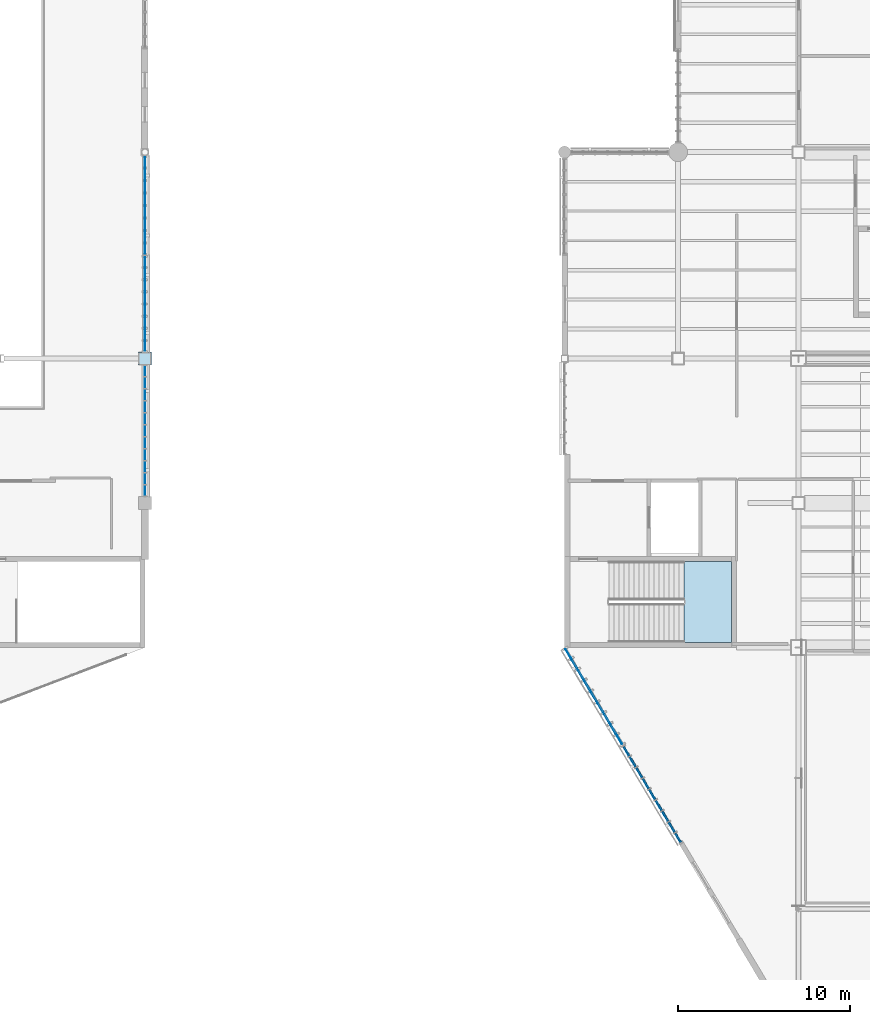
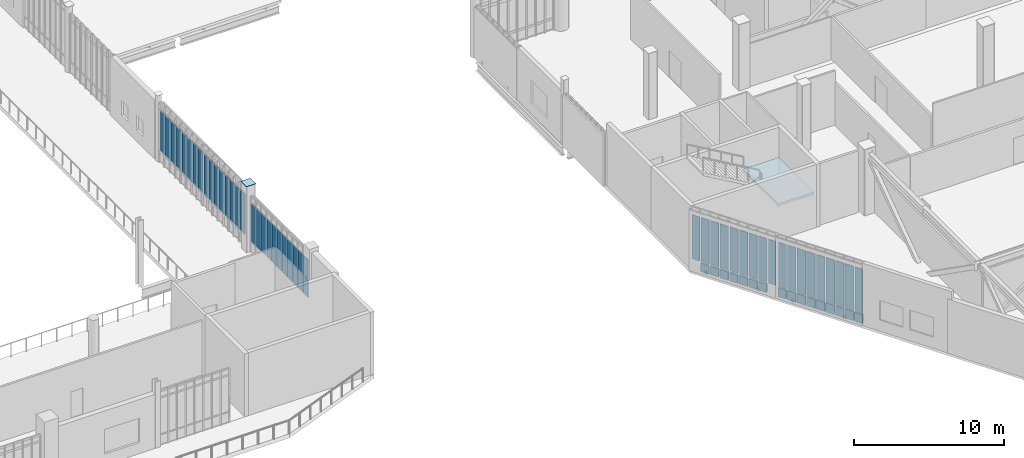
# One storey, part 76 of 135: 62 plates, 1 slab, 6 elements without a shape of their own.
"""IFC4 building model written with IfcOpenShell, lengths in metres."""

from ifc_helpers import new_model, si_unit, direction, frame, origin, origin_2d, place, context, subcontext, project, spatial, polyline, rectangle, outline, extrude, material, layer, layer_set, type_object, element, aggregate, save


model = new_model("IFC4")

# Units and contexts
model_context = context("Model", 3, precision=1e-05, world=origin(), true_north=direction((0.0, 1.0)))
body_context = subcontext(model_context, "Body", "Model", "MODEL_VIEW")
ifc_project = project(units=[si_unit("LENGTHUNIT", "METRE"), si_unit("AREAUNIT", "SQUARE_METRE"), si_unit("VOLUMEUNIT", "CUBIC_METRE"), si_unit("PLANEANGLEUNIT", "RADIAN"), si_unit("MASSUNIT", "GRAM", prefix="KILO")], contexts=[model_context])

# Site, building, storey
site_placement = place(None, origin())
site = spatial("IfcSite", under=ifc_project, at=site_placement, CompositionType="ELEMENT")
building_placement = place(site_placement, origin())
building = spatial("IfcBuilding", under=site, at=building_placement, Name="Larkvane Passage Sports Hall", CompositionType="ELEMENT")
storey_placement = place(building_placement, frame((0.0, 0.0, 16.800048828125)))
storey = spatial("IfcBuildingStorey", under=building, at=storey_placement, Name="L03", CompositionType="ELEMENT", Elevation=16.800048828125)

# Curtain wall, plates
ifc_material_1 = material(Name="Thermally broken aluminium and low-E glazing", Category="aluminium")
curtain_wall_type_1 = type_object("IfcCurtainWallType", Name="CW-STICK-FOYER", PredefinedType="USERDEFINED", material=ifc_material_1)
curtain_wall_1_placement = place(storey_placement, origin())
curtain_wall_1 = element("IfcCurtainWall", 1, at=curtain_wall_1_placement, inside=storey, type_object=curtain_wall_type_1, Name="Curtain wall CW5-L03-118", ObjectType="STICK CURTAIN WALL", PredefinedType="USERDEFINED")
ifc_material_2 = material(Name="Fire-stopped shadow-box spandrel panel")
ifc_layer_1 = layer(ifc_material_2, 0.10498046875)
ifc_layer_set_1 = layer_set([ifc_layer_1], Name="Fire-stopped shadow-box spandrel panel")
plate_type_1 = type_object("IfcPlateType", Name="CWP-SPD-105", PredefinedType="CURTAIN_PANEL", material=ifc_layer_set_1)
plate_1_placement = place(storey_placement, frame((124.600830078125, 11.73388671875, 0.080078125), z_axis=(0.0, 0.0, 1.0), x_axis=(-0.512278301212, 0.858819504964, 0.0)))
plate_1 = element("IfcPlate", 2, at=plate_1_placement, type_object=plate_type_1, Name="CW-03 panel 1.1", PredefinedType="CURTAIN_PANEL", context=body_context, shape_type="SweptSolid", body=[
    extrude(rectangle(XDim=0.617431640625, YDim=0.10498046875, at=origin_2d()), origin(), (0.0, 0.0, 1.0), 0.72998046875),
])
plate_2_placement = place(storey_placement, frame((124.2333984375, 12.35009765625, 0.080078125), z_axis=(0.0, 0.0, 1.0), x_axis=(-0.512278301212, 0.858819504964, 0.0)))
plate_2 = element("IfcPlate", 3, at=plate_2_placement, type_object=plate_type_1, Name="CW-03 panel 2.1", PredefinedType="CURTAIN_PANEL", context=body_context, shape_type="SweptSolid", body=[
    extrude(rectangle(XDim=0.657470703125, YDim=0.10498046875, at=origin_2d()), origin(), (0.0, 0.0, 1.0), 0.72998046875),
])
plate_3_placement = place(storey_placement, frame((123.85546875, 12.9833984375, 0.080078125), z_axis=(0.0, 0.0, 1.0), x_axis=(-0.512278301212, 0.858819504964, 0.0)))
plate_3 = element("IfcPlate", 4, at=plate_3_placement, type_object=plate_type_1, Name="CW-03 panel 3.1", PredefinedType="CURTAIN_PANEL", context=body_context, shape_type="SweptSolid", body=[
    extrude(rectangle(XDim=0.657470703125, YDim=0.10498046875, at=origin_2d()), origin(), (0.0, 0.0, 1.0), 0.72998046875),
])
plate_4_placement = place(storey_placement, frame((123.477783203125, 13.61669921875, 0.080078125), z_axis=(0.0, 0.0, 1.0), x_axis=(-0.512278301212, 0.858819504964, 0.0)))
plate_4 = element("IfcPlate", 5, at=plate_4_placement, type_object=plate_type_1, Name="CW-03 panel 4.1", PredefinedType="CURTAIN_PANEL", context=body_context, shape_type="SweptSolid", body=[
    extrude(rectangle(XDim=0.657470703125, YDim=0.10498046875, at=origin_2d()), origin(), (0.0, 0.0, 1.0), 0.72998046875),
])
plate_5_placement = place(storey_placement, frame((123.10009765625, 14.25, 0.080078125), z_axis=(0.0, 0.0, 1.0), x_axis=(-0.512278301212, 0.858819504964, 0.0)))
plate_5 = element("IfcPlate", 6, at=plate_5_placement, type_object=plate_type_1, Name="CW-03 panel 5.1", PredefinedType="CURTAIN_PANEL", context=body_context, shape_type="SweptSolid", body=[
    extrude(rectangle(XDim=0.657470703125, YDim=0.10498046875, at=origin_2d()), origin(), (0.0, 0.0, 1.0), 0.72998046875),
])
plate_6_placement = place(storey_placement, frame((122.72216796875, 14.88330078125, 0.080078125), z_axis=(0.0, 0.0, 1.0), x_axis=(-0.512278301212, 0.858819504964, 0.0)))
plate_6 = element("IfcPlate", 7, at=plate_6_placement, type_object=plate_type_1, Name="CW-03 panel 6.1", PredefinedType="CURTAIN_PANEL", context=body_context, shape_type="SweptSolid", body=[
    extrude(rectangle(XDim=0.657470703125, YDim=0.10498046875, at=origin_2d()), origin(), (0.0, 0.0, 1.0), 0.72998046875),
])
plate_7_placement = place(storey_placement, frame((122.344482421875, 15.5166015625, 0.080078125), z_axis=(0.0, 0.0, 1.0), x_axis=(-0.512278301212, 0.858819504964, 0.0)))
plate_7 = element("IfcPlate", 8, at=plate_7_placement, type_object=plate_type_1, Name="CW-03 panel 7.1", PredefinedType="CURTAIN_PANEL", context=body_context, shape_type="SweptSolid", body=[
    extrude(rectangle(XDim=0.657470703125, YDim=0.10498046875, at=origin_2d()), origin(), (0.0, 0.0, 1.0), 0.72998046875),
])
plate_8_placement = place(storey_placement, frame((121.966552734375, 16.14990234375, 0.080078125), z_axis=(0.0, 0.0, 1.0), x_axis=(-0.512278301212, 0.858819504964, 0.0)))
plate_8 = element("IfcPlate", 9, at=plate_8_placement, type_object=plate_type_1, Name="CW-03 panel 8.1", PredefinedType="CURTAIN_PANEL", context=body_context, shape_type="SweptSolid", body=[
    extrude(rectangle(XDim=0.657470703125, YDim=0.10498046875, at=origin_2d()), origin(), (0.0, 0.0, 1.0), 0.72998046875),
])
plate_9_placement = place(storey_placement, frame((121.59912109375, 16.76611328125, 0.080078125), z_axis=(0.0, 0.0, 1.0), x_axis=(-0.512278301212, 0.858819504964, 0.0)))
plate_9 = element("IfcPlate", 10, at=plate_9_placement, type_object=plate_type_1, Name="CW-03 panel 9.1", PredefinedType="CURTAIN_PANEL", context=body_context, shape_type="SweptSolid", body=[
    extrude(rectangle(XDim=0.617431640625, YDim=0.10498046875, at=origin_2d()), origin(), (0.0, 0.0, 1.0), 0.72998046875),
])

curtain_wall_type_2 = type_object("IfcCurtainWallType", Name="CW-CLINIC", PredefinedType="USERDEFINED", material=ifc_material_1)
curtain_wall_2_placement = place(storey_placement, origin())
curtain_wall_2 = element("IfcCurtainWall", 11, at=curtain_wall_2_placement, inside=storey, type_object=curtain_wall_type_2, Name="Curtain wall CW5-L03-119", ObjectType="UNITISED CURTAIN WALL", PredefinedType="USERDEFINED")
ifc_material_3 = material(Name="Deep insulated facade spandrel panel")
ifc_layer_2 = layer(ifc_material_3, 0.125)
ifc_layer_set_2 = layer_set([ifc_layer_2], Name="Deep insulated facade spandrel panel")
plate_type_2 = type_object("IfcPlateType", Name="CWP-SPD-125", PredefinedType="CURTAIN_PANEL", material=ifc_layer_set_2)
plate_10_placement = place(storey_placement, frame((120.834228515625, 18.04833984375, 0.10986328125), z_axis=(0.0, 0.0, 1.0), x_axis=(-0.512274395044, 0.858821834947, 0.0)))
plate_10 = element("IfcPlate", 12, at=plate_10_placement, type_object=plate_type_2, Name="CW-05 panel 2.1", PredefinedType="CURTAIN_PANEL", context=body_context, shape_type="SweptSolid", body=[
    extrude(rectangle(XDim=0.626220703125, YDim=0.125, at=origin_2d()), origin(), (0.0, 0.0, 1.0), 0.68505859375),
])
plate_11_placement = place(storey_placement, frame((120.457275390625, 18.6806640625, 0.10986328125), z_axis=(0.0, 0.0, 1.0), x_axis=(-0.512274395044, 0.858821834947, 0.0)))
plate_11 = element("IfcPlate", 13, at=plate_11_placement, type_object=plate_type_2, Name="CW-05 panel 3.1", PredefinedType="CURTAIN_PANEL", context=body_context, shape_type="SweptSolid", body=[
    extrude(rectangle(XDim=0.626220703125, YDim=0.125, at=origin_2d()), origin(), (0.0, 0.0, 1.0), 0.68505859375),
])
plate_12_placement = place(storey_placement, frame((120.080078125, 19.312744140625, 0.10986328125), z_axis=(0.0, 0.0, 1.0), x_axis=(-0.512274395044, 0.858821834947, 0.0)))
plate_12 = element("IfcPlate", 14, at=plate_12_placement, type_object=plate_type_2, Name="CW-05 panel 4.1", PredefinedType="CURTAIN_PANEL", context=body_context, shape_type="SweptSolid", body=[
    extrude(rectangle(XDim=0.626220703125, YDim=0.125, at=origin_2d()), origin(), (0.0, 0.0, 1.0), 0.68505859375),
])
plate_13_placement = place(storey_placement, frame((119.702880859375, 19.945068359375, 0.10986328125), z_axis=(0.0, 0.0, 1.0), x_axis=(-0.512274395044, 0.858821834947, 0.0)))
plate_13 = element("IfcPlate", 15, at=plate_13_placement, type_object=plate_type_2, Name="CW-05 panel 5.1", PredefinedType="CURTAIN_PANEL", context=body_context, shape_type="SweptSolid", body=[
    extrude(rectangle(XDim=0.626220703125, YDim=0.125, at=origin_2d()), origin(), (0.0, 0.0, 1.0), 0.68505859375),
])
plate_14_placement = place(storey_placement, frame((119.325927734375, 20.5771484375, 0.10986328125), z_axis=(0.0, 0.0, 1.0), x_axis=(-0.512274395044, 0.858821834947, 0.0)))
plate_14 = element("IfcPlate", 16, at=plate_14_placement, type_object=plate_type_2, Name="CW-05 panel 6.1", PredefinedType="CURTAIN_PANEL", context=body_context, shape_type="SweptSolid", body=[
    extrude(rectangle(XDim=0.626220703125, YDim=0.125, at=origin_2d()), origin(), (0.0, 0.0, 1.0), 0.68505859375),
])
plate_15_placement = place(storey_placement, frame((118.94873046875, 21.20947265625, 0.10986328125), z_axis=(0.0, 0.0, 1.0), x_axis=(-0.512274395044, 0.858821834947, 0.0)))
plate_15 = element("IfcPlate", 17, at=plate_15_placement, type_object=plate_type_2, Name="CW-05 panel 7.1", PredefinedType="CURTAIN_PANEL", context=body_context, shape_type="SweptSolid", body=[
    extrude(rectangle(XDim=0.626220703125, YDim=0.125, at=origin_2d()), origin(), (0.0, 0.0, 1.0), 0.68505859375),
])
plate_16_placement = place(storey_placement, frame((118.57177734375, 21.841552734375, 0.10986328125), z_axis=(0.0, 0.0, 1.0), x_axis=(-0.512274395044, 0.858821834947, 0.0)))
plate_16 = element("IfcPlate", 18, at=plate_16_placement, type_object=plate_type_2, Name="CW-05 panel 8.1", PredefinedType="CURTAIN_PANEL", context=body_context, shape_type="SweptSolid", body=[
    extrude(rectangle(XDim=0.626220703125, YDim=0.125, at=origin_2d()), origin(), (0.0, 0.0, 1.0), 0.68505859375),
])

curtain_wall_type_3 = type_object("IfcCurtainWallType", Name="CW-UNIT-COURT", PredefinedType="USERDEFINED", material=ifc_material_1)
curtain_wall_3_placement = place(storey_placement, origin())
curtain_wall_3 = element("IfcCurtainWall", 19, at=curtain_wall_3_placement, inside=storey, type_object=curtain_wall_type_3, Name="Curtain wall CW5-L03-148", ObjectType="UNITISED CURTAIN WALL", PredefinedType="USERDEFINED")
ifc_material_4 = material(Name="Solar-control low-E double glazing", Category="glass")
ifc_layer_3 = layer(ifc_material_4, 0.028076171875)
ifc_layer_set_3 = layer_set([ifc_layer_3], Name="Solar-control low-E double glazing")
plate_type_3 = type_object("IfcPlateType", Name="CWP-VIS-28", PredefinedType="CURTAIN_PANEL", material=ifc_layer_set_3)
plate_17_placement = place(storey_placement, frame((93.60009765625, 38.889892578125, 0.8798828125), z_axis=(0.0, 0.0, 1.0), x_axis=(0.0, -1.0, 0.0)))
plate_17 = element("IfcPlate", 20, at=plate_17_placement, type_object=plate_type_3, Name="CW-01 panel 1.2", PredefinedType="CURTAIN_PANEL", context=body_context, shape_type="SweptSolid", body=[
    extrude(rectangle(XDim=0.6083984375, YDim=0.028076171875, at=origin_2d()), origin(), (0.0, 0.0, 1.0), 3.097900390625),
])
plate_18_placement = place(storey_placement, frame((93.60009765625, 38.206298828125, 0.8798828125), z_axis=(0.0, 0.0, 1.0), x_axis=(0.0, -1.0, 0.0)))
plate_18 = element("IfcPlate", 21, at=plate_18_placement, type_object=plate_type_3, Name="CW-01 panel 2.2", PredefinedType="CURTAIN_PANEL", context=body_context, shape_type="SweptSolid", body=[
    extrude(rectangle(XDim=0.638427734375, YDim=0.028076171875, at=origin_2d()), origin(), (0.0, 0.0, 1.0), 3.097900390625),
])
plate_19_placement = place(storey_placement, frame((93.60009765625, 37.5078125, 0.8798828125), z_axis=(0.0, 0.0, 1.0), x_axis=(0.0, -1.0, 0.0)))
plate_19 = element("IfcPlate", 22, at=plate_19_placement, type_object=plate_type_3, Name="CW-01 panel 3.2", PredefinedType="CURTAIN_PANEL", context=body_context, shape_type="SweptSolid", body=[
    extrude(rectangle(XDim=0.638427734375, YDim=0.028076171875, at=origin_2d()), origin(), (0.0, 0.0, 1.0), 3.097900390625),
])
plate_20_placement = place(storey_placement, frame((93.60009765625, 36.809326171875, 0.8798828125), z_axis=(0.0, 0.0, 1.0), x_axis=(0.0, -1.0, 0.0)))
plate_20 = element("IfcPlate", 23, at=plate_20_placement, type_object=plate_type_3, Name="CW-01 panel 4.2", PredefinedType="CURTAIN_PANEL", context=body_context, shape_type="SweptSolid", body=[
    extrude(rectangle(XDim=0.638427734375, YDim=0.028076171875, at=origin_2d()), origin(), (0.0, 0.0, 1.0), 3.097900390625),
])
plate_21_placement = place(storey_placement, frame((93.60009765625, 36.11083984375, 0.8798828125), z_axis=(0.0, 0.0, 1.0), x_axis=(0.0, -1.0, 0.0)))
plate_21 = element("IfcPlate", 24, at=plate_21_placement, type_object=plate_type_3, Name="CW-01 panel 5.2", PredefinedType="CURTAIN_PANEL", context=body_context, shape_type="SweptSolid", body=[
    extrude(rectangle(XDim=0.638427734375, YDim=0.028076171875, at=origin_2d()), origin(), (0.0, 0.0, 1.0), 3.097900390625),
])
plate_22_placement = place(storey_placement, frame((93.60009765625, 35.41259765625, 0.8798828125), z_axis=(0.0, 0.0, 1.0), x_axis=(0.0, -1.0, 0.0)))
plate_22 = element("IfcPlate", 25, at=plate_22_placement, type_object=plate_type_3, Name="CW-01 panel 6.2", PredefinedType="CURTAIN_PANEL", context=body_context, shape_type="SweptSolid", body=[
    extrude(rectangle(XDim=0.638427734375, YDim=0.028076171875, at=origin_2d()), origin(), (0.0, 0.0, 1.0), 3.097900390625),
])
plate_23_placement = place(storey_placement, frame((93.60009765625, 34.714111328125, 0.8798828125), z_axis=(0.0, 0.0, 1.0), x_axis=(0.0, -1.0, 0.0)))
plate_23 = element("IfcPlate", 26, at=plate_23_placement, type_object=plate_type_3, Name="CW-01 panel 7.2", PredefinedType="CURTAIN_PANEL", context=body_context, shape_type="SweptSolid", body=[
    extrude(rectangle(XDim=0.638427734375, YDim=0.028076171875, at=origin_2d()), origin(), (0.0, 0.0, 1.0), 3.097900390625),
])
plate_24_placement = place(storey_placement, frame((93.60009765625, 34.015625, 0.8798828125), z_axis=(0.0, 0.0, 1.0), x_axis=(0.0, -1.0, 0.0)))
plate_24 = element("IfcPlate", 27, at=plate_24_placement, type_object=plate_type_3, Name="CW-01 panel 8.2", PredefinedType="CURTAIN_PANEL", context=body_context, shape_type="SweptSolid", body=[
    extrude(rectangle(XDim=0.638427734375, YDim=0.028076171875, at=origin_2d()), origin(), (0.0, 0.0, 1.0), 3.097900390625),
])
plate_25_placement = place(storey_placement, frame((93.60009765625, 33.317138671875, 0.8798828125), z_axis=(0.0, 0.0, 1.0), x_axis=(0.0, -1.0, 0.0)))
plate_25 = element("IfcPlate", 28, at=plate_25_placement, type_object=plate_type_3, Name="CW-01 panel 9.2", PredefinedType="CURTAIN_PANEL", context=body_context, shape_type="SweptSolid", body=[
    extrude(rectangle(XDim=0.638427734375, YDim=0.028076171875, at=origin_2d()), origin(), (0.0, 0.0, 1.0), 3.097900390625),
])
plate_26_placement = place(storey_placement, frame((93.60009765625, 32.61865234375, 0.8798828125), z_axis=(0.0, 0.0, 1.0), x_axis=(0.0, -1.0, 0.0)))
plate_26 = element("IfcPlate", 29, at=plate_26_placement, type_object=plate_type_3, Name="CW-01 panel 10.2", PredefinedType="CURTAIN_PANEL", context=body_context, shape_type="SweptSolid", body=[
    extrude(rectangle(XDim=0.638427734375, YDim=0.028076171875, at=origin_2d()), origin(), (0.0, 0.0, 1.0), 3.097900390625),
])
plate_27_placement = place(storey_placement, frame((93.60009765625, 31.935302734375, 0.8798828125), z_axis=(0.0, 0.0, 1.0), x_axis=(0.0, -1.0, 0.0)))
plate_27 = element("IfcPlate", 30, at=plate_27_placement, type_object=plate_type_3, Name="CW-01 panel 11.2", PredefinedType="CURTAIN_PANEL", context=body_context, shape_type="SweptSolid", body=[
    extrude(rectangle(XDim=0.6083984375, YDim=0.028076171875, at=origin_2d()), origin(), (0.0, 0.0, 1.0), 3.097900390625),
])
aggregate(curtain_wall_3, [plate_17, plate_18, plate_19, plate_20, plate_21, plate_22, plate_23, plate_24, plate_25, plate_26, plate_27])

# Plate
ifc_material_5 = material(Name="High-impact court low-E glazing", Category="glass")
ifc_layer_4 = layer(ifc_material_5, 0.035888671875)
ifc_layer_set_4 = layer_set([ifc_layer_4], Name="High-impact court low-E glazing")
plate_type_4 = type_object("IfcPlateType", Name="CWP-VIS-36", PredefinedType="CURTAIN_PANEL", material=ifc_layer_set_4)
plate_28_placement = place(storey_placement, frame((124.600830078125, 11.73388671875, 0.889892578125), z_axis=(0.0, 0.0, 1.0), x_axis=(-0.512278301212, 0.858819504964, 0.0)))
plate_28 = element("IfcPlate", 31, at=plate_28_placement, type_object=plate_type_4, Name="CW-03 panel 1.2", PredefinedType="CURTAIN_PANEL", context=body_context, shape_type="SweptSolid", body=[
    extrude(rectangle(XDim=0.617431640625, YDim=0.035888671875, at=origin_2d()), origin(), (0.0, 0.0, 1.0), 3.6201171875),
])

plate_29_placement = place(storey_placement, frame((124.2333984375, 12.35009765625, 0.889892578125), z_axis=(0.0, 0.0, 1.0), x_axis=(-0.512278301212, 0.858819504964, 0.0)))
plate_29 = element("IfcPlate", 32, at=plate_29_placement, type_object=plate_type_4, Name="CW-03 panel 2.2", PredefinedType="CURTAIN_PANEL", context=body_context, shape_type="SweptSolid", body=[
    extrude(rectangle(XDim=0.657470703125, YDim=0.035888671875, at=origin_2d()), origin(), (0.0, 0.0, 1.0), 3.6201171875),
])

plate_30_placement = place(storey_placement, frame((123.85546875, 12.9833984375, 0.889892578125), z_axis=(0.0, 0.0, 1.0), x_axis=(-0.512278301212, 0.858819504964, 0.0)))
plate_30 = element("IfcPlate", 33, at=plate_30_placement, type_object=plate_type_4, Name="CW-03 panel 3.2", PredefinedType="CURTAIN_PANEL", context=body_context, shape_type="SweptSolid", body=[
    extrude(rectangle(XDim=0.657470703125, YDim=0.035888671875, at=origin_2d()), origin(), (0.0, 0.0, 1.0), 3.6201171875),
])

plate_31_placement = place(storey_placement, frame((123.477783203125, 13.61669921875, 0.889892578125), z_axis=(0.0, 0.0, 1.0), x_axis=(-0.512278301212, 0.858819504964, 0.0)))
plate_31 = element("IfcPlate", 34, at=plate_31_placement, type_object=plate_type_4, Name="CW-03 panel 4.2", PredefinedType="CURTAIN_PANEL", context=body_context, shape_type="SweptSolid", body=[
    extrude(rectangle(XDim=0.657470703125, YDim=0.035888671875, at=origin_2d()), origin(), (0.0, 0.0, 1.0), 3.6201171875),
])

plate_32_placement = place(storey_placement, frame((123.10009765625, 14.25, 0.889892578125), z_axis=(0.0, 0.0, 1.0), x_axis=(-0.512278301212, 0.858819504964, 0.0)))
plate_32 = element("IfcPlate", 35, at=plate_32_placement, type_object=plate_type_4, Name="CW-03 panel 5.2", PredefinedType="CURTAIN_PANEL", context=body_context, shape_type="SweptSolid", body=[
    extrude(rectangle(XDim=0.657470703125, YDim=0.035888671875, at=origin_2d()), origin(), (0.0, 0.0, 1.0), 3.6201171875),
])

plate_33_placement = place(storey_placement, frame((122.72216796875, 14.88330078125, 0.889892578125), z_axis=(0.0, 0.0, 1.0), x_axis=(-0.512278301212, 0.858819504964, 0.0)))
plate_33 = element("IfcPlate", 36, at=plate_33_placement, type_object=plate_type_4, Name="CW-03 panel 6.2", PredefinedType="CURTAIN_PANEL", context=body_context, shape_type="SweptSolid", body=[
    extrude(rectangle(XDim=0.657470703125, YDim=0.035888671875, at=origin_2d()), origin(), (0.0, 0.0, 1.0), 3.6201171875),
])

plate_34_placement = place(storey_placement, frame((122.344482421875, 15.5166015625, 0.889892578125), z_axis=(0.0, 0.0, 1.0), x_axis=(-0.512278301212, 0.858819504964, 0.0)))
plate_34 = element("IfcPlate", 37, at=plate_34_placement, type_object=plate_type_4, Name="CW-03 panel 7.2", PredefinedType="CURTAIN_PANEL", context=body_context, shape_type="SweptSolid", body=[
    extrude(rectangle(XDim=0.657470703125, YDim=0.035888671875, at=origin_2d()), origin(), (0.0, 0.0, 1.0), 3.6201171875),
])

plate_35_placement = place(storey_placement, frame((121.966552734375, 16.14990234375, 0.889892578125), z_axis=(0.0, 0.0, 1.0), x_axis=(-0.512278301212, 0.858819504964, 0.0)))
plate_35 = element("IfcPlate", 38, at=plate_35_placement, type_object=plate_type_4, Name="CW-03 panel 8.2", PredefinedType="CURTAIN_PANEL", context=body_context, shape_type="SweptSolid", body=[
    extrude(rectangle(XDim=0.657470703125, YDim=0.035888671875, at=origin_2d()), origin(), (0.0, 0.0, 1.0), 3.6201171875),
])

plate_36_placement = place(storey_placement, frame((121.59912109375, 16.76611328125, 0.889892578125), z_axis=(0.0, 0.0, 1.0), x_axis=(-0.512278301212, 0.858819504964, 0.0)))
plate_36 = element("IfcPlate", 39, at=plate_36_placement, type_object=plate_type_4, Name="CW-03 panel 9.2", PredefinedType="CURTAIN_PANEL", context=body_context, shape_type="SweptSolid", body=[
    extrude(rectangle(XDim=0.617431640625, YDim=0.035888671875, at=origin_2d()), origin(), (0.0, 0.0, 1.0), 3.6201171875),
])

aggregate(curtain_wall_1, [plate_1, plate_28, plate_2, plate_29, plate_3, plate_30, plate_4, plate_31, plate_5, plate_32, plate_6, plate_33, plate_7, plate_34, plate_8, plate_35, plate_9, plate_36])

# Curtain wall, plates
curtain_wall_4_placement = place(storey_placement, origin())
curtain_wall_4 = element("IfcCurtainWall", 40, at=curtain_wall_4_placement, inside=storey, type_object=curtain_wall_type_1, Name="Curtain wall CW5-L03-146", ObjectType="STICK CURTAIN WALL", PredefinedType="USERDEFINED")
plate_37_placement = place(storey_placement, frame((93.60009765625, 51.015869140625, 0.89501953125), z_axis=(0.0, 0.0, 1.0), x_axis=(0.0, -1.0, 0.0)))
plate_37 = element("IfcPlate", 41, at=plate_37_placement, type_object=plate_type_4, Name="CW-03 panel 1.2", PredefinedType="CURTAIN_PANEL", context=body_context, shape_type="SweptSolid", body=[
    extrude(rectangle(XDim=0.590087890625, YDim=0.035888671875, at=origin_2d()), origin(), (0.0, 0.0, 1.0), 3.35302734375),
])
plate_38_placement = place(storey_placement, frame((93.60009765625, 50.313232421875, 0.89501953125), z_axis=(0.0, 0.0, 1.0), x_axis=(0.0, -1.0, 0.0)))
plate_38 = element("IfcPlate", 42, at=plate_38_placement, type_object=plate_type_4, Name="CW-03 panel 2.2", PredefinedType="CURTAIN_PANEL", context=body_context, shape_type="SweptSolid", body=[
    extrude(rectangle(XDim=0.635009765625, YDim=0.035888671875, at=origin_2d()), origin(), (0.0, 0.0, 1.0), 3.35302734375),
])
plate_39_placement = place(storey_placement, frame((93.60009765625, 49.588134765625, 0.89501953125), z_axis=(0.0, 0.0, 1.0), x_axis=(0.0, -1.0, 0.0)))
plate_39 = element("IfcPlate", 43, at=plate_39_placement, type_object=plate_type_4, Name="CW-03 panel 3.2", PredefinedType="CURTAIN_PANEL", context=body_context, shape_type="SweptSolid", body=[
    extrude(rectangle(XDim=0.635009765625, YDim=0.035888671875, at=origin_2d()), origin(), (0.0, 0.0, 1.0), 3.35302734375),
])
plate_40_placement = place(storey_placement, frame((93.60009765625, 48.863037109375, 0.89501953125), z_axis=(0.0, 0.0, 1.0), x_axis=(0.0, -1.0, 0.0)))
plate_40 = element("IfcPlate", 44, at=plate_40_placement, type_object=plate_type_4, Name="CW-03 panel 4.2", PredefinedType="CURTAIN_PANEL", context=body_context, shape_type="SweptSolid", body=[
    extrude(rectangle(XDim=0.635009765625, YDim=0.035888671875, at=origin_2d()), origin(), (0.0, 0.0, 1.0), 3.35302734375),
])
plate_41_placement = place(storey_placement, frame((93.60009765625, 48.137939453125, 0.89501953125), z_axis=(0.0, 0.0, 1.0), x_axis=(0.0, -1.0, 0.0)))
plate_41 = element("IfcPlate", 45, at=plate_41_placement, type_object=plate_type_4, Name="CW-03 panel 5.2", PredefinedType="CURTAIN_PANEL", context=body_context, shape_type="SweptSolid", body=[
    extrude(rectangle(XDim=0.635009765625, YDim=0.035888671875, at=origin_2d()), origin(), (0.0, 0.0, 1.0), 3.35302734375),
])
plate_42_placement = place(storey_placement, frame((93.60009765625, 47.412841796875, 0.89501953125), z_axis=(0.0, 0.0, 1.0), x_axis=(0.0, -1.0, 0.0)))
plate_42 = element("IfcPlate", 46, at=plate_42_placement, type_object=plate_type_4, Name="CW-03 panel 6.2", PredefinedType="CURTAIN_PANEL", context=body_context, shape_type="SweptSolid", body=[
    extrude(rectangle(XDim=0.635009765625, YDim=0.035888671875, at=origin_2d()), origin(), (0.0, 0.0, 1.0), 3.35302734375),
])
plate_43_placement = place(storey_placement, frame((93.60009765625, 46.687744140625, 0.89501953125), z_axis=(0.0, 0.0, 1.0), x_axis=(0.0, -1.0, 0.0)))
plate_43 = element("IfcPlate", 47, at=plate_43_placement, type_object=plate_type_4, Name="CW-03 panel 7.2", PredefinedType="CURTAIN_PANEL", context=body_context, shape_type="SweptSolid", body=[
    extrude(rectangle(XDim=0.635009765625, YDim=0.035888671875, at=origin_2d()), origin(), (0.0, 0.0, 1.0), 3.35302734375),
])
plate_44_placement = place(storey_placement, frame((93.60009765625, 45.985107421875, 0.89501953125), z_axis=(0.0, 0.0, 1.0), x_axis=(0.0, -1.0, 0.0)))
plate_44 = element("IfcPlate", 48, at=plate_44_placement, type_object=plate_type_4, Name="CW-03 panel 8.2", PredefinedType="CURTAIN_PANEL", context=body_context, shape_type="SweptSolid", body=[
    extrude(rectangle(XDim=0.590087890625, YDim=0.035888671875, at=origin_2d()), origin(), (0.0, 0.0, 1.0), 3.35302734375),
])
aggregate(curtain_wall_4, [plate_37, plate_38, plate_39, plate_40, plate_41, plate_42, plate_43, plate_44])

# Plate
ifc_material_6 = material(Name="Triple-laminated typhoon glazing", Category="glass")
ifc_layer_5 = layer(ifc_material_6, 0.0419921875)
ifc_layer_set_5 = layer_set([ifc_layer_5], Name="Triple-laminated typhoon glazing")
plate_type_5 = type_object("IfcPlateType", Name="CWP-VIS-42", PredefinedType="CURTAIN_PANEL", material=ifc_layer_set_5)
plate_45_placement = place(storey_placement, frame((121.197265625, 17.439697265625, 0.90478515625), z_axis=(0.0, 0.0, 1.0), x_axis=(-0.512274395044, 0.858821834947, 0.0)))
plate_45 = element("IfcPlate", 49, at=plate_45_placement, type_object=plate_type_5, Name="CW-05 panel 1.2", PredefinedType="CURTAIN_PANEL", context=body_context, shape_type="SweptSolid", body=[
    extrude(rectangle(XDim=0.571044921875, YDim=0.0419921875, at=origin_2d()), origin(), (0.0, 0.0, 1.0), 3.590087890625),
])

plate_46_placement = place(storey_placement, frame((120.834228515625, 18.04833984375, 0.90478515625), z_axis=(0.0, 0.0, 1.0), x_axis=(-0.512274395044, 0.858821834947, 0.0)))
plate_46 = element("IfcPlate", 50, at=plate_46_placement, type_object=plate_type_5, Name="CW-05 panel 2.2", PredefinedType="CURTAIN_PANEL", context=body_context, shape_type="SweptSolid", body=[
    extrude(rectangle(XDim=0.626220703125, YDim=0.0419921875, at=origin_2d()), origin(), (0.0, 0.0, 1.0), 3.590087890625),
])

plate_47_placement = place(storey_placement, frame((120.457275390625, 18.6806640625, 0.90478515625), z_axis=(0.0, 0.0, 1.0), x_axis=(-0.512274395044, 0.858821834947, 0.0)))
plate_47 = element("IfcPlate", 51, at=plate_47_placement, type_object=plate_type_5, Name="CW-05 panel 3.2", PredefinedType="CURTAIN_PANEL", context=body_context, shape_type="SweptSolid", body=[
    extrude(rectangle(XDim=0.626220703125, YDim=0.0419921875, at=origin_2d()), origin(), (0.0, 0.0, 1.0), 3.590087890625),
])

plate_48_placement = place(storey_placement, frame((120.080078125, 19.312744140625, 0.90478515625), z_axis=(0.0, 0.0, 1.0), x_axis=(-0.512274395044, 0.858821834947, 0.0)))
plate_48 = element("IfcPlate", 52, at=plate_48_placement, type_object=plate_type_5, Name="CW-05 panel 4.2", PredefinedType="CURTAIN_PANEL", context=body_context, shape_type="SweptSolid", body=[
    extrude(rectangle(XDim=0.626220703125, YDim=0.0419921875, at=origin_2d()), origin(), (0.0, 0.0, 1.0), 3.590087890625),
])

plate_49_placement = place(storey_placement, frame((119.702880859375, 19.945068359375, 0.90478515625), z_axis=(0.0, 0.0, 1.0), x_axis=(-0.512274395044, 0.858821834947, 0.0)))
plate_49 = element("IfcPlate", 53, at=plate_49_placement, type_object=plate_type_5, Name="CW-05 panel 5.2", PredefinedType="CURTAIN_PANEL", context=body_context, shape_type="SweptSolid", body=[
    extrude(rectangle(XDim=0.626220703125, YDim=0.0419921875, at=origin_2d()), origin(), (0.0, 0.0, 1.0), 3.590087890625),
])

plate_50_placement = place(storey_placement, frame((119.325927734375, 20.5771484375, 0.90478515625), z_axis=(0.0, 0.0, 1.0), x_axis=(-0.512274395044, 0.858821834947, 0.0)))
plate_50 = element("IfcPlate", 54, at=plate_50_placement, type_object=plate_type_5, Name="CW-05 panel 6.2", PredefinedType="CURTAIN_PANEL", context=body_context, shape_type="SweptSolid", body=[
    extrude(rectangle(XDim=0.626220703125, YDim=0.0419921875, at=origin_2d()), origin(), (0.0, 0.0, 1.0), 3.590087890625),
])

plate_51_placement = place(storey_placement, frame((118.94873046875, 21.20947265625, 0.90478515625), z_axis=(0.0, 0.0, 1.0), x_axis=(-0.512274395044, 0.858821834947, 0.0)))
plate_51 = element("IfcPlate", 55, at=plate_51_placement, type_object=plate_type_5, Name="CW-05 panel 7.2", PredefinedType="CURTAIN_PANEL", context=body_context, shape_type="SweptSolid", body=[
    extrude(rectangle(XDim=0.626220703125, YDim=0.0419921875, at=origin_2d()), origin(), (0.0, 0.0, 1.0), 3.590087890625),
])

plate_52_placement = place(storey_placement, frame((118.57177734375, 21.841552734375, 0.90478515625), z_axis=(0.0, 0.0, 1.0), x_axis=(-0.512274395044, 0.858821834947, 0.0)))
plate_52 = element("IfcPlate", 56, at=plate_52_placement, type_object=plate_type_5, Name="CW-05 panel 8.2", PredefinedType="CURTAIN_PANEL", context=body_context, shape_type="SweptSolid", body=[
    extrude(rectangle(XDim=0.626220703125, YDim=0.0419921875, at=origin_2d()), origin(), (0.0, 0.0, 1.0), 3.590087890625),
])

plate_53_placement = place(storey_placement, frame((118.208740234375, 22.4501953125, 0.90478515625), z_axis=(0.0, 0.0, 1.0), x_axis=(-0.512274395044, 0.858821834947, 0.0)))
plate_53 = element("IfcPlate", 57, at=plate_53_placement, type_object=plate_type_5, Name="CW-05 panel 9.2", PredefinedType="CURTAIN_PANEL", context=body_context, shape_type="SweptSolid", body=[
    extrude(rectangle(XDim=0.571044921875, YDim=0.0419921875, at=origin_2d()), origin(), (0.0, 0.0, 1.0), 3.590087890625),
])

aggregate(curtain_wall_2, [plate_45, plate_10, plate_46, plate_11, plate_47, plate_12, plate_48, plate_13, plate_49, plate_14, plate_50, plate_15, plate_51, plate_16, plate_52, plate_53])

# Curtain wall, plates
curtain_wall_5_placement = place(storey_placement, origin())
curtain_wall_5 = element("IfcCurtainWall", 58, at=curtain_wall_5_placement, inside=storey, type_object=curtain_wall_type_2, Name="Curtain wall CW5-L03-147", ObjectType="UNITISED CURTAIN WALL", PredefinedType="USERDEFINED")
plate_54_placement = place(storey_placement, frame((93.60009765625, 45.2216796875, 0.89990234375), z_axis=(0.0, 0.0, 1.0), x_axis=(0.0, -1.0, 0.0)))
plate_54 = element("IfcPlate", 59, at=plate_54_placement, type_object=plate_type_5, Name="CW-05 panel 1.2", PredefinedType="CURTAIN_PANEL", context=body_context, shape_type="SweptSolid", body=[
    extrude(rectangle(XDim=0.556640625, YDim=0.0419921875, at=origin_2d()), origin(), (0.0, 0.0, 1.0), 3.343017578125),
])
plate_55_placement = place(storey_placement, frame((93.60009765625, 44.539794921875, 0.89990234375), z_axis=(0.0, 0.0, 1.0), x_axis=(0.0, -1.0, 0.0)))
plate_55 = element("IfcPlate", 60, at=plate_55_placement, type_object=plate_type_5, Name="CW-05 panel 2.2", PredefinedType="CURTAIN_PANEL", context=body_context, shape_type="SweptSolid", body=[
    extrude(rectangle(XDim=0.606689453125, YDim=0.0419921875, at=origin_2d()), origin(), (0.0, 0.0, 1.0), 3.343017578125),
])
plate_56_placement = place(storey_placement, frame((93.60009765625, 43.8330078125, 0.89990234375), z_axis=(0.0, 0.0, 1.0), x_axis=(0.0, -1.0, 0.0)))
plate_56 = element("IfcPlate", 61, at=plate_56_placement, type_object=plate_type_5, Name="CW-05 panel 3.2", PredefinedType="CURTAIN_PANEL", context=body_context, shape_type="SweptSolid", body=[
    extrude(rectangle(XDim=0.606689453125, YDim=0.0419921875, at=origin_2d()), origin(), (0.0, 0.0, 1.0), 3.343017578125),
])
plate_57_placement = place(storey_placement, frame((93.60009765625, 43.12646484375, 0.89990234375), z_axis=(0.0, 0.0, 1.0), x_axis=(0.0, -1.0, 0.0)))
plate_57 = element("IfcPlate", 62, at=plate_57_placement, type_object=plate_type_5, Name="CW-05 panel 4.2", PredefinedType="CURTAIN_PANEL", context=body_context, shape_type="SweptSolid", body=[
    extrude(rectangle(XDim=0.606689453125, YDim=0.0419921875, at=origin_2d()), origin(), (0.0, 0.0, 1.0), 3.343017578125),
])
plate_58_placement = place(storey_placement, frame((93.60009765625, 42.419677734375, 0.89990234375), z_axis=(0.0, 0.0, 1.0), x_axis=(0.0, -1.0, 0.0)))
plate_58 = element("IfcPlate", 63, at=plate_58_placement, type_object=plate_type_5, Name="CW-05 panel 5.2", PredefinedType="CURTAIN_PANEL", context=body_context, shape_type="SweptSolid", body=[
    extrude(rectangle(XDim=0.606689453125, YDim=0.0419921875, at=origin_2d()), origin(), (0.0, 0.0, 1.0), 3.343017578125),
])
plate_59_placement = place(storey_placement, frame((93.60009765625, 41.712890625, 0.89990234375), z_axis=(0.0, 0.0, 1.0), x_axis=(0.0, -1.0, 0.0)))
plate_59 = element("IfcPlate", 64, at=plate_59_placement, type_object=plate_type_5, Name="CW-05 panel 6.2", PredefinedType="CURTAIN_PANEL", context=body_context, shape_type="SweptSolid", body=[
    extrude(rectangle(XDim=0.606689453125, YDim=0.0419921875, at=origin_2d()), origin(), (0.0, 0.0, 1.0), 3.343017578125),
])
plate_60_placement = place(storey_placement, frame((93.60009765625, 41.006103515625, 0.89990234375), z_axis=(0.0, 0.0, 1.0), x_axis=(0.0, -1.0, 0.0)))
plate_60 = element("IfcPlate", 65, at=plate_60_placement, type_object=plate_type_5, Name="CW-05 panel 7.2", PredefinedType="CURTAIN_PANEL", context=body_context, shape_type="SweptSolid", body=[
    extrude(rectangle(XDim=0.606689453125, YDim=0.0419921875, at=origin_2d()), origin(), (0.0, 0.0, 1.0), 3.343017578125),
])
plate_61_placement = place(storey_placement, frame((93.60009765625, 40.324462890625, 0.89990234375), z_axis=(0.0, 0.0, 1.0), x_axis=(0.0, -1.0, 0.0)))
plate_61 = element("IfcPlate", 66, at=plate_61_placement, type_object=plate_type_5, Name="CW-05 panel 8.2", PredefinedType="CURTAIN_PANEL", context=body_context, shape_type="SweptSolid", body=[
    extrude(rectangle(XDim=0.556640625, YDim=0.0419921875, at=origin_2d()), origin(), (0.0, 0.0, 1.0), 3.343017578125),
])
aggregate(curtain_wall_5, [plate_54, plate_55, plate_56, plate_57, plate_58, plate_59, plate_60, plate_61])

# Plate
ifc_material_7 = material(Name="Steel S460N", Category="steel")
ifc_layer_6 = layer(ifc_material_7, 0.028076171875)
ifc_layer_set_6 = layer_set([ifc_layer_6], Name="Steel S460N")
plate_type_6 = type_object("IfcPlateType", Name="PLT-CAP-28", PredefinedType="SHEET", material=ifc_layer_set_6)
plate_62_placement = place(storey_placement, frame((93.60009765625, 39.60009765625, 5.39990234375), z_axis=(0.0, 0.0, 1.0), x_axis=(1.0, 0.0, 0.0)))
element("IfcPlate", 67, at=plate_62_placement, inside=storey, type_object=plate_type_6, Name="Hollow section sealed end cap plate 0019", PredefinedType="SHEET", context=body_context, shape_type="SweptSolid", body=[
    extrude(rectangle(XDim=0.739990234375, YDim=0.739990234375, at=origin_2d()), origin(), (0.0, 0.0, 1.0), 0.028076171875),
])

# Stair, slab
ifc_material_8 = material(Name="Concrete C40/50", Category="concrete")
stair_type = type_object("IfcStairType", Name="STR-CORE-2250", PredefinedType="HALF_TURN_STAIR", material=ifc_material_8)
stair_placement = place(storey_placement, origin())
stair = element("IfcStair", 68, at=stair_placement, inside=storey, type_object=stair_type, Name="L03 Protected exit stair ST-05", PredefinedType="HALF_TURN_STAIR")
ifc_layer_7 = layer(ifc_material_8, 0.199951171875)
ifc_layer_set_7 = layer_set([ifc_layer_7], Name="Concrete C40/50")
slab_type = type_object("IfcSlabType", Name="SLB-LAND-200", PredefinedType="LANDING", material=ifc_layer_set_7)
slab_placement = place(storey_placement, frame((0.0, 0.0, 2.5)))
slab = element("IfcSlab", 69, at=slab_placement, type_object=slab_type, Name="ST-05 landing 1", PredefinedType="LANDING", context=body_context, shape_type="SweptSolid", body=[
    extrude(outline(polyline([(124.929931640625, 23.10009765625), (127.699951171875, 23.10009765625), (127.699951171875, 27.800048828125), (124.929931640625, 27.800048828125), (124.929931640625, 23.10009765625)])), origin(), (0.0, 0.0, 1.0), 0.199951171875),
])
aggregate(stair, [slab])

save(model, "model.ifc")
